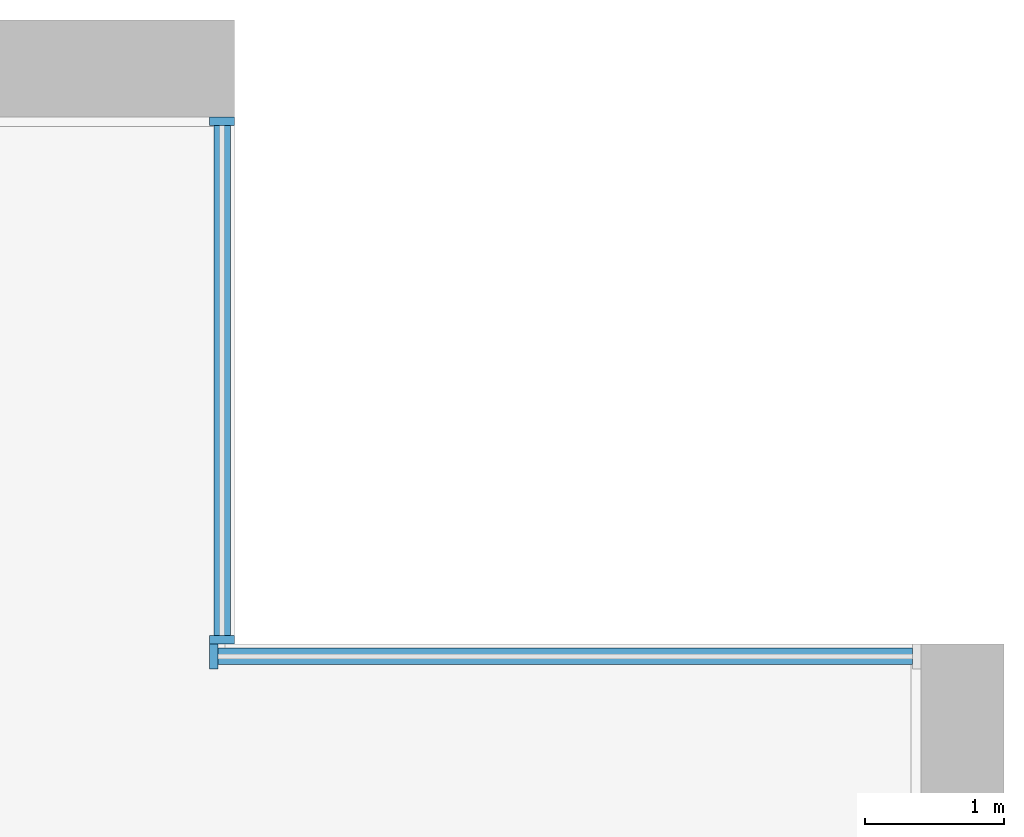
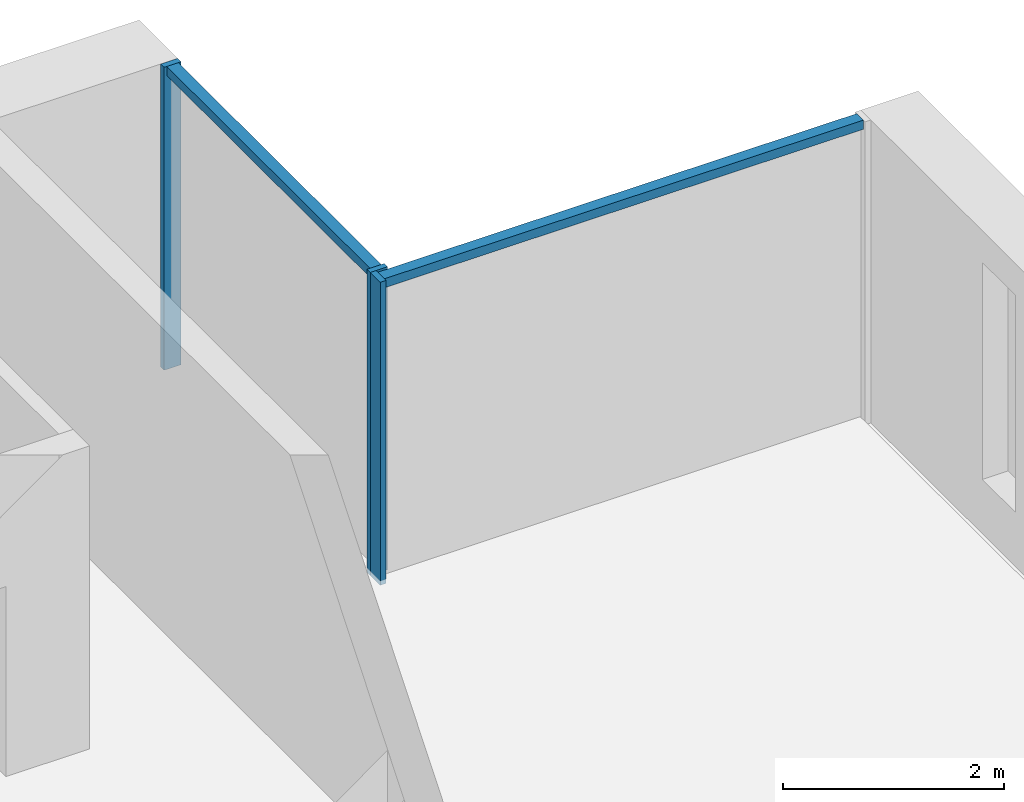
# One storey, part 5 of 17: 5 members, 2 elements without a shape of their own.
"""IFC4 building model written with IfcOpenShell, lengths in metres."""

from ifc_helpers import new_model, si_unit, direction, frame, origin, origin_2d, place, context, subcontext, project, spatial, rectangle, extrude, material, material_profile, profile_set, type_object, element, aggregate, save


model = new_model("IFC4")

# Units and contexts
model_context = context("Model", 3, precision=1e-05, world=origin(), true_north=direction((0.0, 1.0)))
body_context = subcontext(model_context, "Body", "Model", "MODEL_VIEW")
ifc_project = project(units=[si_unit("LENGTHUNIT", "METRE"), si_unit("AREAUNIT", "SQUARE_METRE"), si_unit("VOLUMEUNIT", "CUBIC_METRE"), si_unit("PLANEANGLEUNIT", "RADIAN"), si_unit("MASSUNIT", "GRAM", prefix="KILO")], contexts=[model_context])

# Site, building, storey
site_placement = place(None, origin())
site = spatial("IfcSite", under=ifc_project, at=site_placement, CompositionType="ELEMENT")
building_placement = place(site_placement, origin())
building = spatial("IfcBuilding", under=site, at=building_placement, Name="Calvaro Tower", CompositionType="ELEMENT")
storey_placement = place(building_placement, frame((0.0, 0.0, 189.25)))
storey = spatial("IfcBuildingStorey", under=building, at=storey_placement, Name="L47", CompositionType="ELEMENT", Elevation=189.25)

# Curtain wall, members
ifc_material_1 = material(Name="Anodised aluminium", Category="aluminium")
curtain_wall_type = type_object("IfcCurtainWallType", Name="Office curtain wall, upper zone", PredefinedType="NOTDEFINED", material=ifc_material_1)
curtain_wall_1_placement = place(storey_placement, origin())
curtain_wall_1 = element("IfcCurtainWall", 1, at=curtain_wall_1_placement, inside=storey, type_object=curtain_wall_type, Name="CW3 corner curtain wall", PredefinedType="NOTDEFINED")
ifc_material_2 = material(Name="Anodised aluminium", Category="aluminium")
ifc_material_profile_1 = material_profile(ifc_material_2, rectangle(XDim=0.179931640625, YDim=0.06005859375, at=origin_2d()), Name="Mullion S3 60 x 180")
ifc_profile_set_1 = profile_set([ifc_material_profile_1], Name="Anodised aluminium")
member_type_1 = type_object("IfcMemberType", Name="Mullion S3 60 x 180", PredefinedType="MULLION", material=ifc_profile_set_1)
member_1_placement = place(storey_placement, frame((66.360107421875, 41.530029296875, 0.0), z_axis=(0.0, 0.0, 1.0), x_axis=(-1.0, 0.0, 0.0)))
member_1 = element("IfcMember", 2, at=member_1_placement, type_object=member_type_1, Name="CW3 mullion 1", PredefinedType="MULLION", context=body_context, shape_type="SweptSolid", body=[
    extrude(rectangle(XDim=0.179931640625, YDim=0.06005859375, at=origin_2d()), origin(), (0.0, 0.0, 1.0), 3.35009765625),
])
member_2_placement = place(storey_placement, frame((66.360107421875, 45.27001953125, 0.0), z_axis=(0.0, 0.0, 1.0), x_axis=(-1.0, 0.0, 0.0)))
member_2 = element("IfcMember", 3, at=member_2_placement, type_object=member_type_1, Name="CW3 mullion 2", PredefinedType="MULLION", context=body_context, shape_type="SweptSolid", body=[
    extrude(rectangle(XDim=0.179931640625, YDim=0.06005859375, at=origin_2d()), origin(), (0.0, 0.0, 1.0), 3.35009765625),
])

# Curtain wall, member
curtain_wall_2_placement = place(storey_placement, origin())
curtain_wall_2 = element("IfcCurtainWall", 4, at=curtain_wall_2_placement, inside=storey, type_object=curtain_wall_type, Name="CW3 corner curtain wall", PredefinedType="NOTDEFINED")
member_3_placement = place(storey_placement, frame((66.300048828125, 41.409912109375, 0.0), z_axis=(0.0, 0.0, 1.0), x_axis=(0.0, 1.0, 0.0)))
member_3 = element("IfcMember", 5, at=member_3_placement, type_object=member_type_1, Name="CW3 mullion 1", PredefinedType="MULLION", context=body_context, shape_type="SweptSolid", body=[
    extrude(rectangle(XDim=0.179931640625, YDim=0.06005859375, at=origin_2d()), origin(), (0.0, 0.0, 1.0), 3.35009765625),
])

# Member
ifc_material_3 = material(Name="Anodised aluminium", Category="aluminium")
ifc_material_profile_2 = material_profile(ifc_material_3, rectangle(XDim=0.1201171875, YDim=0.10009765625, at=origin_2d()), Name="Transom S3 100 x 120")
ifc_profile_set_2 = profile_set([ifc_material_profile_2], Name="Anodised aluminium")
member_type_2 = type_object("IfcMemberType", Name="Transom S3 100 x 120", PredefinedType="USERDEFINED", material=ifc_profile_set_2)
member_4_placement = place(storey_placement, frame((66.360107421875, 41.56005859375, 3.300048828125), z_axis=(0.0, 1.0, 0.0), x_axis=(-1.0, 0.0, 0.0)))
member_4 = element("IfcMember", 6, at=member_4_placement, type_object=member_type_2, Name="CW3 transom 1.1", ObjectType="TRANSOM", PredefinedType="USERDEFINED", context=body_context, shape_type="SweptSolid", body=[
    extrude(rectangle(XDim=0.1201171875, YDim=0.10009765625, at=origin_2d()), origin(), (0.0, 0.0, 1.0), 3.679931640625),
])

aggregate(curtain_wall_1, [member_1, member_2, member_4])

member_5_placement = place(storey_placement, frame((66.330078125, 41.409912109375, 3.300048828125), z_axis=(1.0, 0.0, 0.0), x_axis=(0.0, 1.0, 0.0)))
member_5 = element("IfcMember", 7, at=member_5_placement, type_object=member_type_2, Name="CW3 transom 1.1", ObjectType="TRANSOM", PredefinedType="USERDEFINED", context=body_context, shape_type="SweptSolid", body=[
    extrude(rectangle(XDim=0.1201171875, YDim=0.10009765625, at=origin_2d()), origin(), (0.0, 0.0, 1.0), 5.010009765625),
])

aggregate(curtain_wall_2, [member_3, member_5])

save(model, "model.ifc")
